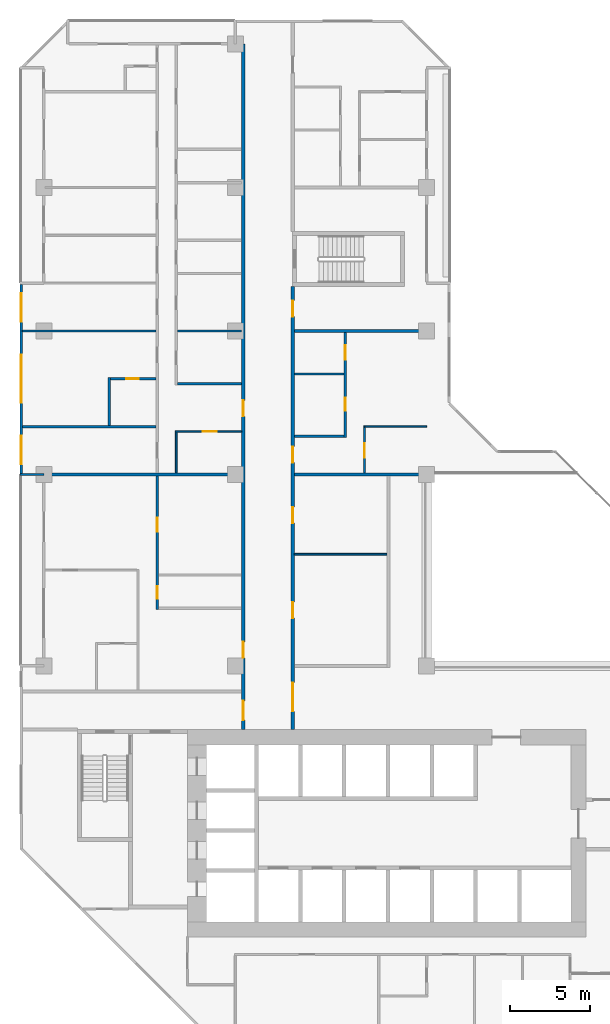
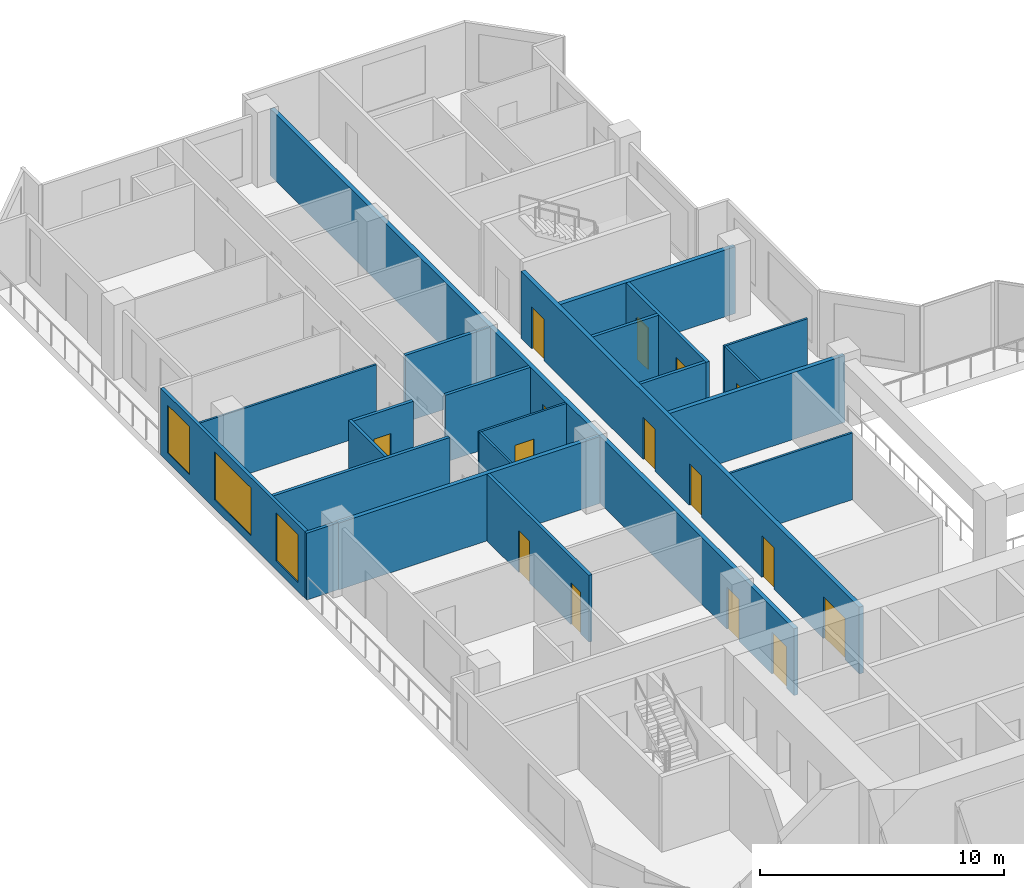
# One storey, part 9 of 15: 22 walls, 15 doors, 3 windows, 18 openings.
"""IFC4 building model written with IfcOpenShell, lengths in metres."""

import ifcopenshell
import ifcopenshell.guid

model = None  # the IFC model being written
_history = None  # IfcOwnerHistory: only IFC2X3 demands one
_inside = {}  # id of a spatial element -> (the spatial element, [elements in it])
_under = {}  # id of a project, library or spatial element -> (it, [spatial elements below it])
_declared = {}  # id of a project -> (the project, [libraries it declares])
_typed = {}  # id of a type object -> (the type object, [elements of that type])
_made_of = {}  # id of a material, layer set ... -> (it, [elements and type objects made of it])


def new_model(schema):
    """Start an empty IFC model of exactly this schema.

    Asked for "IFC4X3", IfcOpenShell would pick the latest addendum, in which some entities
    have other attributes; the version numbers below select the first issue.
    IFC2X3 requires an IfcOwnerHistory on every rooted entity: one is made here for all.
    """
    global model, _history
    if schema == "IFC4X3":
        model = ifcopenshell.file(schema_version=(4, 3, 0, 0))
    else:
        model = ifcopenshell.file(schema=schema)
    _inside.clear()
    _under.clear()
    _declared.clear()
    _typed.clear()
    _made_of.clear()
    _history = None
    if model.schema == "IFC2X3":
        org = make("IfcOrganization", Name="unknown")
        user = make(
            "IfcPersonAndOrganization",
            ThePerson=make("IfcPerson", FamilyName="unknown"),
            TheOrganization=org,
        )
        app = make(
            "IfcApplication",
            ApplicationDeveloper=org,
            Version="unknown",
            ApplicationFullName="unknown",
            ApplicationIdentifier="unknown",
        )
        _history = make(
            "IfcOwnerHistory",
            OwningUser=user,
            OwningApplication=app,
            ChangeAction="ADDED",
            CreationDate=0,
        )
    return model


def make(cls, **values):
    """One entity of the class cls with the attributes given. An attribute that is None is left unset."""
    return model.create_entity(
        cls, **{name: value for name, value in values.items() if value is not None}
    )


def rooted(cls, **values):
    """An entity with a GlobalId (a new one), such as an element, a storey or a relation."""
    return make(cls, GlobalId=ifcopenshell.guid.new(), OwnerHistory=_history, **values)


def si_unit(unit_type, name, prefix=None):
    """IfcSIUnit, for example si_unit("LENGTHUNIT", "METRE", prefix="MILLI")."""
    return make("IfcSIUnit", UnitType=unit_type, Prefix=prefix, Name=name)


def assignment(units):
    """IfcUnitAssignment: the units of a project."""
    return None if units is None else make("IfcUnitAssignment", Units=units)


def point(xyz):
    """IfcCartesianPoint."""
    return None if xyz is None else make("IfcCartesianPoint", Coordinates=xyz)


def direction(xyz):
    """IfcDirection."""
    return None if xyz is None else make("IfcDirection", DirectionRatios=xyz)


def frame(location, z_axis=None, x_axis=None):
    """IfcAxis2Placement3D, a coordinate frame: its origin and axes. An axis left out is left unset."""
    return make(
        "IfcAxis2Placement3D",
        Location=point(location),
        Axis=direction(z_axis),
        RefDirection=direction(x_axis),
    )


def frame_2d(location, x_axis=None):
    """IfcAxis2Placement2D, a coordinate frame in the plane: its origin and x axis."""
    return make(
        "IfcAxis2Placement2D", Location=point(location), RefDirection=direction(x_axis)
    )


def origin():
    """The frame at (0, 0, 0) with its axes left unset."""
    return frame((0.0, 0.0, 0.0))


def place(relative_to, where):
    """IfcLocalPlacement: puts the frame where relative to a parent placement (None: the world)."""
    return make(
        "IfcLocalPlacement", PlacementRelTo=relative_to, RelativePlacement=where
    )


def context(
    kind, dimensions, precision=None, world=None, true_north=None, identifier=None
):
    """IfcGeometricRepresentationContext, for example the 3D "Model" context."""
    return make(
        "IfcGeometricRepresentationContext",
        ContextIdentifier=identifier,
        ContextType=kind,
        CoordinateSpaceDimension=dimensions,
        Precision=precision,
        WorldCoordinateSystem=world,
        TrueNorth=true_north,
    )


def subcontext(parent, identifier, kind, view, scale=None):
    """IfcGeometricRepresentationSubContext, for example "Body" below "Model"."""
    return make(
        "IfcGeometricRepresentationSubContext",
        ContextIdentifier=identifier,
        ContextType=kind,
        ParentContext=parent,
        TargetScale=scale,
        TargetView=view,
    )


def project(units=None, contexts=None):
    """IfcProject with its units and contexts."""
    return rooted(
        "IfcProject",
        Name="project",
        RepresentationContexts=contexts,
        UnitsInContext=assignment(units),
    )


def spatial(cls, under=None, at=None, **own):
    """A site, building, storey or space (cls), placed at a placement, below another one or the project."""
    s = rooted(cls, ObjectPlacement=at, **own)
    if under is not None:
        _under.setdefault(under.id(), (under, []))[1].append(s)
    return s


def profile(cls, at=None, kind="AREA", **sizes):
    """A parametric profile (cls). Its sizes go by their IFC names, for example OverallWidth=200.0."""
    return make(cls, ProfileType=kind, Position=at, **sizes)


def rectangle(**sizes):
    """IfcRectangleProfileDef."""
    return profile("IfcRectangleProfileDef", **sizes)


def extrude(swept, where, along, depth):
    """IfcExtrudedAreaSolid: the profile swept, set in the frame where, extruded along a direction by depth."""
    return make(
        "IfcExtrudedAreaSolid",
        SweptArea=swept,
        Position=where,
        ExtrudedDirection=direction(along),
        Depth=depth,
    )


def shape(context_of_items, identifier, shape_type, items):
    """IfcShapeRepresentation: the items that make up one representation, for example the "Body"."""
    return make(
        "IfcShapeRepresentation",
        ContextOfItems=context_of_items,
        RepresentationIdentifier=identifier,
        RepresentationType=shape_type,
        Items=items,
    )


def material(Name=None, Category=None):
    """IfcMaterial."""
    return make("IfcMaterial", Name=Name, Category=Category)


def layer(
    of_material, thickness, ventilated=None, Name=None, Category=None, Priority=None
):
    """IfcMaterialLayer: one layer of a wall or slab, of a material (None: an air gap)."""
    return make(
        "IfcMaterialLayer",
        Material=of_material,
        LayerThickness=thickness,
        IsVentilated=ventilated,
        Name=Name,
        Category=Category,
        Priority=Priority,
    )


def layer_set(layers, Name=None):
    """IfcMaterialLayerSet."""
    return make("IfcMaterialLayerSet", MaterialLayers=layers, LayerSetName=Name)


def made_of(thing, what):
    """Note that an element or type object is made of a material, layer set ...; save() writes the relation."""
    if what is not None:
        _made_of.setdefault(what.id(), (what, []))[1].append(thing)
    return thing


def type_object(cls, material=None, **own):
    """A type object (cls), such as IfcWallType, which elements share."""
    return made_of(rooted(cls, **own), material)


def element(
    cls,
    number,
    at=None,
    inside=None,
    cuts=None,
    type_object=None,
    material=None,
    context=None,
    identifier="Body",
    shape_type=None,
    held_by="IfcProductDefinitionShape",
    body=None,
    shapes=None,
    **own,
):
    """One element of the class cls, such as IfcWall. Its Tag is "e" and its number.

    at: its placement. inside: the storey or other place that contains it. cuts: it is an
    opening in that element (IfcRelVoidsElement). A single representation is given by context,
    identifier, shape_type and body (its items); several are given by shapes. held_by: the class
    of the entity that holds the representations. save() writes the other relations.
    """
    e = rooted(cls, Tag="e%d" % number, ObjectPlacement=at, **own)
    if body is not None:
        shapes = [shape(context, identifier, shape_type, body)]
    if shapes is not None:
        e.Representation = make(held_by, Representations=shapes)
    if inside is not None:
        _inside.setdefault(inside.id(), (inside, []))[1].append(e)
    if cuts is not None:
        rooted(
            "IfcRelVoidsElement", RelatingBuildingElement=cuts, RelatedOpeningElement=e
        )
    if type_object is not None:
        _typed.setdefault(type_object.id(), (type_object, []))[1].append(e)
    return made_of(e, material)


def fill(opening, filler):
    """IfcRelFillsElement: the door or window that sits in an opening."""
    return rooted(
        "IfcRelFillsElement",
        RelatingOpeningElement=opening,
        RelatedBuildingElement=filler,
    )


def aggregate(whole, parts):
    """IfcRelAggregates: a whole, such as a stair, and the parts it consists of."""
    return rooted("IfcRelAggregates", RelatingObject=whole, RelatedObjects=parts)


def save(model, path):
    """Write the relations noted so far, then the file.

    IfcRelAggregates (storeys below a building ...), IfcRelContainedInSpatialStructure (elements
    in a storey), IfcRelDefinesByType, IfcRelAssociatesMaterial and IfcRelDeclares: one each for
    every whole, place, type object, material and project.
    """
    for whole, parts in _under.values():
        aggregate(whole, parts)
    for where, things in _inside.values():
        rooted(
            "IfcRelContainedInSpatialStructure",
            RelatedElements=things,
            RelatingStructure=where,
        )
    for kind, things in _typed.values():
        rooted("IfcRelDefinesByType", RelatedObjects=things, RelatingType=kind)
    for what, things in _made_of.values():
        rooted("IfcRelAssociatesMaterial", RelatedObjects=things, RelatingMaterial=what)
    for by, libraries in _declared.values():
        rooted("IfcRelDeclares", RelatingContext=by, RelatedDefinitions=libraries)
    model.write(path)


model = new_model("IFC4")

# Units and contexts
model_context = context("Model", 3, precision=1e-05, world=origin(), true_north=direction((0.0, 1.0)))
body_context = subcontext(model_context, "Body", "Model", "MODEL_VIEW")
ifc_project = project(units=[si_unit("LENGTHUNIT", "METRE"), si_unit("AREAUNIT", "SQUARE_METRE"), si_unit("VOLUMEUNIT", "CUBIC_METRE"), si_unit("PLANEANGLEUNIT", "RADIAN"), si_unit("MASSUNIT", "GRAM", prefix="KILO")], contexts=[model_context])

# Site, building, storey
site_placement = place(None, origin())
site = spatial("IfcSite", under=ifc_project, at=site_placement, CompositionType="ELEMENT")
building_placement = place(site_placement, origin())
building = spatial("IfcBuilding", under=site, at=building_placement, Name="Chenar Terraces", CompositionType="ELEMENT")
storey_placement = place(building_placement, frame((0.0, 0.0, 125.64990234375)))
storey = spatial("IfcBuildingStorey", under=building, at=storey_placement, Name="L29", CompositionType="ELEMENT", Elevation=125.64990234375)

# Wall, openings, doors
ifc_material_1 = material(Name="Gypsum board on steel studs with fire boards", Category="steel")
ifc_layer_1 = layer(ifc_material_1, 0.199951171875)
ifc_layer_set_1 = layer_set([ifc_layer_1], Name="Gypsum board on steel studs with fire boards")
wall_type_1 = type_object("IfcWallType", Name="Corridor wall 200", PredefinedType="PARTITIONING", material=ifc_layer_set_1)
wall_1_placement = place(storey_placement, frame((12.5, 20.0, 0.0), z_axis=(0.0, 0.0, 1.0), x_axis=(0.0, 1.0, 0.0)))
wall_1 = element("IfcWall", 1, at=wall_1_placement, inside=storey, type_object=wall_type_1, Name="Partition L29-036", PredefinedType="PARTITIONING", context=body_context, shape_type="SweptSolid", body=[
    extrude(rectangle(XDim=43.0, YDim=0.199951171875, at=frame_2d((21.5, 0.0))), origin(), (0.0, 0.0, 1.0), 3.35009765625),
])
opening_1_placement = place(wall_1_placement, frame((19.64990234375, 0.0, 0.0)))
opening_1 = element("IfcOpeningElement", 2, at=opening_1_placement, cuts=wall_1, Name="Opening DL29-37", PredefinedType="OPENING", context=body_context, shape_type="SweptSolid", body=[
    extrude(rectangle(XDim=1.0, YDim=2.10009765625, at=frame_2d((0.5, 1.050048828125))), frame((0.0, 0.10986328125, 0.0), z_axis=(0.0, -1.0, 0.0), x_axis=(1.0, 0.0, 0.0)), (0.0, 0.0, 1.0), 0.219970703125),
])
opening_2_placement = place(wall_1_placement, frame((0.60009765625, 0.0, 0.0)))
opening_2 = element("IfcOpeningElement", 3, at=opening_2_placement, cuts=wall_1, Name="Opening DL29-51", PredefinedType="OPENING", context=body_context, shape_type="SweptSolid", body=[
    extrude(rectangle(XDim=1.199951171875, YDim=2.10009765625, at=frame_2d((0.60009765625, 1.050048828125))), frame((0.0, 0.10986328125, 0.0), z_axis=(0.0, -1.0, 0.0), x_axis=(1.0, 0.0, 0.0)), (0.0, 0.0, 1.0), 0.219970703125),
])
opening_3_placement = place(wall_1_placement, frame((4.5, 0.0, 0.0)))
opening_3 = element("IfcOpeningElement", 4, at=opening_3_placement, cuts=wall_1, Name="Opening DL29-74", PredefinedType="OPENING", context=body_context, shape_type="SweptSolid", body=[
    extrude(rectangle(XDim=1.0, YDim=2.10009765625, at=frame_2d((0.5, 1.050048828125))), frame((0.0, 0.10986328125, 0.0), z_axis=(0.0, -1.0, 0.0), x_axis=(1.0, 0.0, 0.0)), (0.0, 0.0, 1.0), 0.219970703125),
])
ifc_material_2 = material(Name="Steel-framed fire-resisting door leaf", Category="steel")
door_type_1 = type_object("IfcDoorType", Name="Fire door FD30S 1000 x 2100", OperationType="SINGLE_SWING_LEFT", PredefinedType="DOOR", material=ifc_material_2)
door_1_placement = place(opening_1_placement, origin())
door_1 = element("IfcDoor", 5, at=door_1_placement, inside=storey, type_object=door_type_1, Name="Door DL29-37", OperationType="SINGLE_SWING_LEFT", OverallHeight=2.10009765625, OverallWidth=1.0, PredefinedType="DOOR", context=body_context, shape_type="SweptSolid", body=[
    extrude(rectangle(XDim=1.0, YDim=2.10009765625, at=frame_2d((0.5, 1.050048828125))), frame((0.0, 0.02490234375, 0.0), z_axis=(0.0, -1.0, 0.0), x_axis=(1.0, 0.0, 0.0)), (0.0, 0.0, 1.0), 0.050048828125),
])
fill(opening_1, door_1)
door_2_placement = place(opening_3_placement, origin())
door_2 = element("IfcDoor", 6, at=door_2_placement, inside=storey, type_object=door_type_1, Name="Door DL29-74", OperationType="SINGLE_SWING_LEFT", OverallHeight=2.10009765625, OverallWidth=1.0, PredefinedType="DOOR", context=body_context, shape_type="SweptSolid", body=[
    extrude(rectangle(XDim=1.0, YDim=2.10009765625, at=frame_2d((0.5, 1.050048828125))), frame((0.0, 0.02490234375, 0.0), z_axis=(0.0, -1.0, 0.0), x_axis=(1.0, 0.0, 0.0)), (0.0, 0.0, 1.0), 0.050048828125),
])
fill(opening_3, door_2)
ifc_material_3 = material(Name="Steel-framed fire-resisting door leaf", Category="steel")
door_type_2 = type_object("IfcDoorType", Name="Fire door FD30S 1200 x 2100", OperationType="SINGLE_SWING_LEFT", PredefinedType="DOOR", material=ifc_material_3)
door_3_placement = place(opening_2_placement, origin())
door_3 = element("IfcDoor", 7, at=door_3_placement, inside=storey, type_object=door_type_2, Name="Door DL29-51", OperationType="SINGLE_SWING_RIGHT", OverallHeight=2.10009765625, OverallWidth=1.199951171875, PredefinedType="DOOR", context=body_context, shape_type="SweptSolid", body=[
    extrude(rectangle(XDim=1.199951171875, YDim=2.10009765625, at=frame_2d((0.60009765625, 1.050048828125))), frame((0.0, 0.02490234375, 0.0), z_axis=(0.0, -1.0, 0.0), x_axis=(1.0, 0.0, 0.0)), (0.0, 0.0, 1.0), 0.050048828125),
])
fill(opening_2, door_3)

wall_2_placement = place(storey_placement, frame((15.60009765625, 20.0, 0.0), z_axis=(0.0, 0.0, 1.0), x_axis=(0.0, 1.0, 0.0)))
wall_2 = element("IfcWall", 8, at=wall_2_placement, inside=storey, type_object=wall_type_1, Name="Partition L29-037", PredefinedType="PARTITIONING", context=body_context, shape_type="SweptSolid", body=[
    extrude(rectangle(XDim=27.77490234375, YDim=0.199951171875, at=frame_2d((13.887451171875, 0.0))), origin(), (0.0, 0.0, 1.0), 3.35009765625),
])
opening_4_placement = place(wall_2_placement, frame((7.0, 0.0, 0.0)))
opening_4 = element("IfcOpeningElement", 9, at=opening_4_placement, cuts=wall_2, Name="Opening DL29-1", PredefinedType="OPENING", context=body_context, shape_type="SweptSolid", body=[
    extrude(rectangle(XDim=1.0, YDim=2.10009765625, at=frame_2d((0.5, 1.050048828125))), frame((0.0, 0.10986328125, 0.0), z_axis=(0.0, -1.0, 0.0), x_axis=(1.0, 0.0, 0.0)), (0.0, 0.0, 1.0), 0.219970703125),
])
opening_5_placement = place(wall_2_placement, frame((12.949951171875, 0.0, 0.0)))
opening_5 = element("IfcOpeningElement", 10, at=opening_5_placement, cuts=wall_2, Name="Opening DL29-2", PredefinedType="OPENING", context=body_context, shape_type="SweptSolid", body=[
    extrude(rectangle(XDim=1.0, YDim=2.10009765625, at=frame_2d((0.5, 1.050048828125))), frame((0.0, 0.10986328125, 0.0), z_axis=(0.0, -1.0, 0.0), x_axis=(1.0, 0.0, 0.0)), (0.0, 0.0, 1.0), 0.219970703125),
])
opening_6_placement = place(wall_2_placement, frame((16.75, 0.0, 0.0)))
opening_6 = element("IfcOpeningElement", 11, at=opening_6_placement, cuts=wall_2, Name="Opening DL29-26", PredefinedType="OPENING", context=body_context, shape_type="SweptSolid", body=[
    extrude(rectangle(XDim=1.0, YDim=2.10009765625, at=frame_2d((0.5, 1.050048828125))), frame((0.0, 0.10986328125, 0.0), z_axis=(0.0, -1.0, 0.0), x_axis=(1.0, 0.0, 0.0)), (0.0, 0.0, 1.0), 0.219970703125),
])
opening_7_placement = place(wall_2_placement, frame((1.14990234375, 0.0, 0.0)))
opening_7 = element("IfcOpeningElement", 12, at=opening_7_placement, cuts=wall_2, Name="Opening DL29-50", PredefinedType="OPENING", context=body_context, shape_type="SweptSolid", body=[
    extrude(rectangle(XDim=1.800048828125, YDim=2.10009765625, at=frame_2d((0.89990234375, 1.050048828125))), frame((0.0, 0.10986328125, 0.0), z_axis=(0.0, -1.0, 0.0), x_axis=(1.0, 0.0, 0.0)), (0.0, 0.0, 1.0), 0.219970703125),
])
opening_8_placement = place(wall_2_placement, frame((25.89990234375, 0.0, 0.0)))
opening_8 = element("IfcOpeningElement", 13, at=opening_8_placement, cuts=wall_2, Name="Opening DL29-53", PredefinedType="OPENING", context=body_context, shape_type="SweptSolid", body=[
    extrude(rectangle(XDim=1.0, YDim=2.10009765625, at=frame_2d((0.5, 1.050048828125))), frame((0.0, 0.10986328125, 0.0), z_axis=(0.0, -1.0, 0.0), x_axis=(1.0, 0.0, 0.0)), (0.0, 0.0, 1.0), 0.219970703125),
])
ifc_material_4 = material(Name="Steel-framed fire-resisting door leaf", Category="steel")
door_type_3 = type_object("IfcDoorType", Name="Fire door FD60 1000 x 2100", OperationType="SINGLE_SWING_LEFT", PredefinedType="DOOR", material=ifc_material_4)
door_4_placement = place(opening_4_placement, frame((1.0, 0.0, 0.0), z_axis=(0.0, 0.0, 1.0), x_axis=(-1.0, 0.0, 0.0)))
door_4 = element("IfcDoor", 14, at=door_4_placement, inside=storey, type_object=door_type_3, Name="Door DL29-1", OperationType="SINGLE_SWING_LEFT", OverallHeight=2.10009765625, OverallWidth=1.0, PredefinedType="DOOR", context=body_context, shape_type="SweptSolid", body=[
    extrude(rectangle(XDim=1.0, YDim=2.10009765625, at=frame_2d((0.5, 1.050048828125))), frame((0.0, 0.02490234375, 0.0), z_axis=(0.0, -1.0, 0.0), x_axis=(1.0, 0.0, 0.0)), (0.0, 0.0, 1.0), 0.050048828125),
])
fill(opening_4, door_4)
door_5_placement = place(opening_5_placement, frame((1.0, 0.0, 0.0), z_axis=(0.0, 0.0, 1.0), x_axis=(-1.0, 0.0, 0.0)))
door_5 = element("IfcDoor", 15, at=door_5_placement, inside=storey, type_object=door_type_3, Name="Door DL29-2", OperationType="SINGLE_SWING_LEFT", OverallHeight=2.10009765625, OverallWidth=1.0, PredefinedType="DOOR", context=body_context, shape_type="SweptSolid", body=[
    extrude(rectangle(XDim=1.0, YDim=2.10009765625, at=frame_2d((0.5, 1.050048828125))), frame((0.0, 0.02490234375, 0.0), z_axis=(0.0, -1.0, 0.0), x_axis=(1.0, 0.0, 0.0)), (0.0, 0.0, 1.0), 0.050048828125),
])
fill(opening_5, door_5)
door_6_placement = place(opening_6_placement, frame((1.0, 0.0, 0.0), z_axis=(0.0, 0.0, 1.0), x_axis=(-1.0, 0.0, 0.0)))
door_6 = element("IfcDoor", 16, at=door_6_placement, inside=storey, type_object=door_type_3, Name="Door DL29-26", OperationType="SINGLE_SWING_LEFT", OverallHeight=2.10009765625, OverallWidth=1.0, PredefinedType="DOOR", context=body_context, shape_type="SweptSolid", body=[
    extrude(rectangle(XDim=1.0, YDim=2.10009765625, at=frame_2d((0.5, 1.050048828125))), frame((0.0, 0.02490234375, 0.0), z_axis=(0.0, -1.0, 0.0), x_axis=(1.0, 0.0, 0.0)), (0.0, 0.0, 1.0), 0.050048828125),
])
fill(opening_6, door_6)
door_7_placement = place(opening_8_placement, frame((1.0, 0.0, 0.0), z_axis=(0.0, 0.0, 1.0), x_axis=(-1.0, 0.0, 0.0)))
door_7 = element("IfcDoor", 17, at=door_7_placement, inside=storey, type_object=door_type_3, Name="Door DL29-53", OperationType="SINGLE_SWING_RIGHT", OverallHeight=2.10009765625, OverallWidth=1.0, PredefinedType="DOOR", context=body_context, shape_type="SweptSolid", body=[
    extrude(rectangle(XDim=1.0, YDim=2.10009765625, at=frame_2d((0.5, 1.050048828125))), frame((0.0, 0.02490234375, 0.0), z_axis=(0.0, -1.0, 0.0), x_axis=(1.0, 0.0, 0.0)), (0.0, 0.0, 1.0), 0.050048828125),
])
fill(opening_8, door_7)
ifc_material_5 = material(Name="Steel-framed fire-resisting door leaf", Category="steel")
door_type_4 = type_object("IfcDoorType", Name="Fire double door FD60 1800 x 2100", OperationType="DOUBLE_DOOR_SINGLE_SWING", PredefinedType="DOOR", material=ifc_material_5)
door_8_placement = place(opening_7_placement, frame((1.800048828125, 0.0, 0.0), z_axis=(0.0, 0.0, 1.0), x_axis=(-1.0, 0.0, 0.0)))
door_8 = element("IfcDoor", 18, at=door_8_placement, inside=storey, type_object=door_type_4, Name="Door DL29-50", OperationType="DOUBLE_DOOR_SINGLE_SWING", OverallHeight=2.10009765625, OverallWidth=1.800048828125, PredefinedType="DOOR", context=body_context, shape_type="SweptSolid", body=[
    extrude(rectangle(XDim=1.800048828125, YDim=2.10009765625, at=frame_2d((0.89990234375, 1.050048828125))), frame((0.0, 0.02490234375, 0.0), z_axis=(0.0, -1.0, 0.0), x_axis=(1.0, 0.0, 0.0)), (0.0, 0.0, 1.0), 0.050048828125),
])
fill(opening_7, door_8)

# Wall, openings, windows
ifc_material_6 = material(Name="Aluminium framed glazing", Category="aluminium")
ifc_layer_2 = layer(ifc_material_6, 0.14990234375)
ifc_layer_set_2 = layer_set([ifc_layer_2], Name="Aluminium framed glazing")
wall_type_2 = type_object("IfcWallType", Name="Glazed flush facade wall 150", PredefinedType="SOLIDWALL", material=ifc_layer_set_2)
wall_3_placement = place(storey_placement, frame((-1.425048828125, 47.925048828125, 0.0), z_axis=(0.0, 0.0, 1.0), x_axis=(0.0, -1.0, 0.0)))
wall_3 = element("IfcWall", 19, at=wall_3_placement, inside=storey, type_object=wall_type_2, Name="Glazed flush facade wall", PredefinedType="SOLIDWALL", context=body_context, shape_type="SweptSolid", body=[
    extrude(rectangle(XDim=11.85009765625, YDim=0.14990234375, at=frame_2d((5.925048828125, 0.0))), origin(), (0.0, 0.0, 1.0), 3.35009765625),
])
opening_9_placement = place(wall_3_placement, frame((0.5625, 0.0, 0.449951171875)))
opening_9 = element("IfcOpeningElement", 20, at=opening_9_placement, cuts=wall_3, Name="Opening W180x240", PredefinedType="OPENING", context=body_context, shape_type="SweptSolid", body=[
    extrude(rectangle(XDim=1.800048828125, YDim=2.39990234375, at=frame_2d((0.89990234375, 1.199951171875))), frame((0.0, 0.0849609375, 0.0), z_axis=(0.0, -1.0, 0.0), x_axis=(1.0, 0.0, 0.0)), (0.0, 0.0, 1.0), 0.169921875),
])
opening_10_placement = place(wall_3_placement, frame((4.425048828125, 0.0, 0.449951171875)))
opening_10 = element("IfcOpeningElement", 21, at=opening_10_placement, cuts=wall_3, Name="Opening W300x240", PredefinedType="OPENING", context=body_context, shape_type="SweptSolid", body=[
    extrude(rectangle(XDim=3.0, YDim=2.39990234375, at=frame_2d((1.5, 1.199951171875))), frame((0.0, 0.0849609375, 0.0), z_axis=(0.0, -1.0, 0.0), x_axis=(1.0, 0.0, 0.0)), (0.0, 0.0, 1.0), 0.169921875),
])
opening_11_placement = place(wall_3_placement, frame((9.487548828125, 0.0, 0.449951171875)))
opening_11 = element("IfcOpeningElement", 22, at=opening_11_placement, cuts=wall_3, Name="Opening W180x240", PredefinedType="OPENING", context=body_context, shape_type="SweptSolid", body=[
    extrude(rectangle(XDim=1.800048828125, YDim=2.39990234375, at=frame_2d((0.89990234375, 1.199951171875))), frame((0.0, 0.0849609375, 0.0), z_axis=(0.0, -1.0, 0.0), x_axis=(1.0, 0.0, 0.0)), (0.0, 0.0, 1.0), 0.169921875),
])
ifc_material_7 = material(Name="Low emissivity double glazing, aluminium frame", Category="aluminium")
window_type_1 = type_object("IfcWindowType", Name="Fixed light 1800 x 2400", PartitioningType="SINGLE_PANEL", PredefinedType="WINDOW", material=ifc_material_7)
window_1_placement = place(opening_9_placement, origin())
window_1 = element("IfcWindow", 23, at=window_1_placement, inside=storey, type_object=window_type_1, Name="Window", OverallHeight=2.39990234375, OverallWidth=1.800048828125, PartitioningType="SINGLE_PANEL", PredefinedType="WINDOW", context=body_context, shape_type="SweptSolid", body=[
    extrude(rectangle(XDim=1.800048828125, YDim=2.39990234375, at=frame_2d((0.89990234375, 1.199951171875))), frame((0.0, 0.030029296875, 0.0), z_axis=(0.0, -1.0, 0.0), x_axis=(1.0, 0.0, 0.0)), (0.0, 0.0, 1.0), 0.06005859375),
])
fill(opening_9, window_1)
window_2_placement = place(opening_11_placement, origin())
window_2 = element("IfcWindow", 24, at=window_2_placement, inside=storey, type_object=window_type_1, Name="Window", OverallHeight=2.39990234375, OverallWidth=1.800048828125, PartitioningType="SINGLE_PANEL", PredefinedType="WINDOW", context=body_context, shape_type="SweptSolid", body=[
    extrude(rectangle(XDim=1.800048828125, YDim=2.39990234375, at=frame_2d((0.89990234375, 1.199951171875))), frame((0.0, 0.030029296875, 0.0), z_axis=(0.0, -1.0, 0.0), x_axis=(1.0, 0.0, 0.0)), (0.0, 0.0, 1.0), 0.06005859375),
])
fill(opening_11, window_2)
ifc_material_8 = material(Name="Low emissivity double glazing, aluminium frame", Category="aluminium")
window_type_2 = type_object("IfcWindowType", Name="Fixed light 3000 x 2400", PartitioningType="SINGLE_PANEL", PredefinedType="WINDOW", material=ifc_material_8)
window_3_placement = place(opening_10_placement, origin())
window_3 = element("IfcWindow", 25, at=window_3_placement, inside=storey, type_object=window_type_2, Name="Window", OverallHeight=2.39990234375, OverallWidth=3.0, PartitioningType="SINGLE_PANEL", PredefinedType="WINDOW", context=body_context, shape_type="SweptSolid", body=[
    extrude(rectangle(XDim=3.0, YDim=2.39990234375, at=frame_2d((1.5, 1.199951171875))), frame((0.0, 0.030029296875, 0.0), z_axis=(0.0, -1.0, 0.0), x_axis=(1.0, 0.0, 0.0)), (0.0, 0.0, 1.0), 0.06005859375),
])
fill(opening_10, window_3)

# Wall
ifc_material_9 = material(Name="Gypsum board on steel studs", Category="steel")
ifc_layer_3 = layer(ifc_material_9, 0.10009765625)
ifc_layer_set_3 = layer_set([ifc_layer_3], Name="Gypsum board on steel studs")
wall_type_3 = type_object("IfcWallType", Name="Gypsum partition 100", PredefinedType="PARTITIONING", material=ifc_layer_set_3)
wall_4_placement = place(storey_placement, frame((-1.35107421875, 45.0, 0.0), z_axis=(0.0, 0.0, 1.0), x_axis=(1.0, 0.0, 0.0)))
element("IfcWall", 26, at=wall_4_placement, inside=storey, type_object=wall_type_3, Name="Partition L29-002", PredefinedType="PARTITIONING", context=body_context, shape_type="SweptSolid", body=[
    extrude(rectangle(XDim=8.3759765625, YDim=0.10009765625, at=frame_2d((4.18798828125, 0.0))), origin(), (0.0, 0.0, 1.0), 3.35009765625),
])

# Wall, opening, door
wall_5_placement = place(storey_placement, frame((8.25, 38.699951171875, 0.0), z_axis=(0.0, 0.0, 1.0), x_axis=(1.0, 0.0, 0.0)))
wall_5 = element("IfcWall", 27, at=wall_5_placement, inside=storey, type_object=wall_type_3, Name="Partition L29-023", PredefinedType="PARTITIONING", context=body_context, shape_type="SweptSolid", body=[
    extrude(rectangle(XDim=4.14990234375, YDim=0.10009765625, at=frame_2d((2.074951171875, 0.0))), origin(), (0.0, 0.0, 1.0), 3.35009765625),
])
opening_12_placement = place(wall_5_placement, frame((1.699951171875, 0.0, 0.0)))
opening_12 = element("IfcOpeningElement", 28, at=opening_12_placement, cuts=wall_5, Name="Opening DL29-44", PredefinedType="OPENING", context=body_context, shape_type="SweptSolid", body=[
    extrude(rectangle(XDim=0.89990234375, YDim=2.10009765625, at=frame_2d((0.449951171875, 1.050048828125))), frame((0.0, 0.06005859375, 0.0), z_axis=(0.0, -1.0, 0.0), x_axis=(1.0, 0.0, 0.0)), (0.0, 0.0, 1.0), 0.1201171875),
])
ifc_material_10 = material(Name="Veneered timber door leaf", Category="wood")
door_type_5 = type_object("IfcDoorType", Name="Door 900 x 2100", OperationType="SINGLE_SWING_LEFT", PredefinedType="DOOR", material=ifc_material_10)
door_9_placement = place(opening_12_placement, frame((0.89990234375, 0.0, 0.0), z_axis=(0.0, 0.0, 1.0), x_axis=(-1.0, 0.0, 0.0)))
door_9 = element("IfcDoor", 29, at=door_9_placement, inside=storey, type_object=door_type_5, Name="Door DL29-44", OperationType="SINGLE_SWING_RIGHT", OverallHeight=2.10009765625, OverallWidth=0.89990234375, PredefinedType="DOOR", context=body_context, shape_type="SweptSolid", body=[
    extrude(rectangle(XDim=0.89990234375, YDim=2.10009765625, at=frame_2d((0.449951171875, 1.050048828125))), frame((0.0, 0.02490234375, 0.0), z_axis=(0.0, -1.0, 0.0), x_axis=(1.0, 0.0, 0.0)), (0.0, 0.0, 1.0), 0.050048828125),
])
fill(opening_12, door_9)

# Walls
wall_6_placement = place(storey_placement, frame((8.300048828125, 36.10009765625, 0.0), z_axis=(0.0, 0.0, 1.0), x_axis=(0.0, 1.0, 0.0)))
element("IfcWall", 30, at=wall_6_placement, inside=storey, type_object=wall_type_3, Name="Partition L29-024", PredefinedType="PARTITIONING", context=body_context, shape_type="SweptSolid", body=[
    extrude(rectangle(XDim=2.5498046875, YDim=0.10009765625, at=frame_2d((1.27490234375, 0.0))), origin(), (0.0, 0.0, 1.0), 3.35009765625),
])
wall_7_placement = place(storey_placement, frame((15.699951171875, 31.0, 0.0), z_axis=(0.0, 0.0, 1.0), x_axis=(1.0, 0.0, 0.0)))
element("IfcWall", 31, at=wall_7_placement, inside=storey, type_object=wall_type_3, Name="Partition L29-040", PredefinedType="PARTITIONING", context=body_context, shape_type="SweptSolid", body=[
    extrude(rectangle(XDim=5.800048828125, YDim=0.10009765625, at=frame_2d((2.89990234375, 0.0))), origin(), (0.0, 0.0, 1.0), 3.35009765625),
])
wall_8_placement = place(storey_placement, frame((20.050048828125, 39.0, 0.0), z_axis=(0.0, 0.0, 1.0), x_axis=(1.0, 0.0, 0.0)))
element("IfcWall", 32, at=wall_8_placement, inside=storey, type_object=wall_type_3, Name="Partition L29-053", PredefinedType="PARTITIONING", context=body_context, shape_type="SweptSolid", body=[
    extrude(rectangle(XDim=3.949951171875, YDim=0.10009765625, at=frame_2d((1.97509765625, 0.0))), origin(), (0.0, 0.0, 1.0), 3.35009765625),
])

# Wall, opening, door
wall_9_placement = place(storey_placement, frame((20.10009765625, 36.10009765625, 0.0), z_axis=(0.0, 0.0, 1.0), x_axis=(0.0, 1.0, 0.0)))
wall_9 = element("IfcWall", 33, at=wall_9_placement, inside=storey, type_object=wall_type_3, Name="Partition L29-054", PredefinedType="PARTITIONING", context=body_context, shape_type="SweptSolid", body=[
    extrude(rectangle(XDim=2.849853515625, YDim=0.10009765625, at=frame_2d((1.4248046875, 0.0))), origin(), (0.0, 0.0, 1.0), 3.35009765625),
])
opening_13_placement = place(wall_9_placement, frame((0.949951171875, 0.0, 0.0)))
opening_13 = element("IfcOpeningElement", 34, at=opening_13_placement, cuts=wall_9, Name="Opening DL29-24", PredefinedType="OPENING", context=body_context, shape_type="SweptSolid", body=[
    extrude(rectangle(XDim=0.89990234375, YDim=2.10009765625, at=frame_2d((0.449951171875, 1.050048828125))), frame((0.0, 0.06005859375, 0.0), z_axis=(0.0, -1.0, 0.0), x_axis=(1.0, 0.0, 0.0)), (0.0, 0.0, 1.0), 0.1201171875),
])
door_10_placement = place(opening_13_placement, frame((0.89990234375, 0.0, 0.0), z_axis=(0.0, 0.0, 1.0), x_axis=(-1.0, 0.0, 0.0)))
door_10 = element("IfcDoor", 35, at=door_10_placement, inside=storey, type_object=door_type_5, Name="Door DL29-24", OperationType="SINGLE_SWING_LEFT", OverallHeight=2.10009765625, OverallWidth=0.89990234375, PredefinedType="DOOR", context=body_context, shape_type="SweptSolid", body=[
    extrude(rectangle(XDim=0.89990234375, YDim=2.10009765625, at=frame_2d((0.449951171875, 1.050048828125))), frame((0.0, 0.02490234375, 0.0), z_axis=(0.0, -1.0, 0.0), x_axis=(1.0, 0.0, 0.0)), (0.0, 0.0, 1.0), 0.050048828125),
])
fill(opening_13, door_10)

# Walls
ifc_material_11 = material(Name="Terracotta cladding on insulated backing", Category="masonry")
ifc_layer_4 = layer(ifc_material_11, 0.14990234375)
ifc_layer_set_4 = layer_set([ifc_layer_4], Name="Terracotta cladding on insulated backing")
wall_type_4 = type_object("IfcWallType", Name="Loggia return wall 150", PredefinedType="SOLIDWALL", material=ifc_layer_set_4)
wall_10_placement = place(storey_placement, frame((-1.5, 36.0, 0.0), z_axis=(0.0, 0.0, 1.0), x_axis=(1.0, 0.0, 0.0)))
element("IfcWall", 36, at=wall_10_placement, inside=storey, type_object=wall_type_4, Name="Loggia return wall", PredefinedType="SOLIDWALL", context=body_context, shape_type="SweptSolid", body=[
    extrude(rectangle(XDim=1.5, YDim=0.14990234375, at=frame_2d((0.75, 0.0))), origin(), (0.0, 0.0, 1.0), 3.35009765625),
])
ifc_material_12 = material(Name="Twin gypsum board on steel studs with mineral wool", Category="steel")
ifc_layer_5 = layer(ifc_material_12, 0.199951171875)
ifc_layer_set_5 = layer_set([ifc_layer_5], Name="Twin gypsum board on steel studs with mineral wool")
wall_type_5 = type_object("IfcWallType", Name="Unit demising wall 200", PredefinedType="PARTITIONING", material=ifc_layer_set_5)
wall_11_placement = place(storey_placement, frame((0.0, 36.0, 0.0), z_axis=(0.0, 0.0, 1.0), x_axis=(1.0, 0.0, 0.0)))
element("IfcWall", 37, at=wall_11_placement, inside=storey, type_object=wall_type_5, Name="Partition L29-005", PredefinedType="PARTITIONING", context=body_context, shape_type="SweptSolid", body=[
    extrude(rectangle(XDim=12.39990234375, YDim=0.199951171875, at=frame_2d((6.199951171875, 0.0))), origin(), (0.0, 0.0, 1.0), 3.35009765625),
])
for number, where, z_axis, x_axis, name in (
    (38, (15.699951171875, 36.0, 0.0), (0.0, 0.0, 1.0), (1.0, 0.0, 0.0), "Partition L29-041"),
    (39, (15.699951171875, 45.0, 0.0), (0.0, 0.0, 1.0), (1.0, 0.0, 0.0), "Partition L29-044"),
):
    element("IfcWall", number, at=place(storey_placement, frame(where, z_axis=z_axis, x_axis=x_axis)), inside=storey, type_object=wall_type_5, Name=name, PredefinedType="PARTITIONING", context=body_context, shape_type="SweptSolid", body=[
        extrude(rectangle(XDim=8.300048828125, YDim=0.199951171875, at=frame_2d((4.14990234375, 0.0))), origin(), (0.0, 0.0, 1.0), 3.35009765625),
    ])
ifc_material_13 = material(Name="Moisture-resistant gypsum board on steel studs", Category="steel")
ifc_layer_6 = layer(ifc_material_13, 0.14990234375)
ifc_layer_set_6 = layer_set([ifc_layer_6], Name="Moisture-resistant gypsum board on steel studs")
wall_type_6 = type_object("IfcWallType", Name="Wet-room partition 150", PredefinedType="PARTITIONING", material=ifc_layer_set_6)
wall_12_placement = place(storey_placement, frame((-1.35107421875, 39.0, 0.0), z_axis=(0.0, 0.0, 1.0), x_axis=(1.0, 0.0, 0.0)))
element("IfcWall", 40, at=wall_12_placement, inside=storey, type_object=wall_type_6, Name="Partition L29-001", PredefinedType="PARTITIONING", context=body_context, shape_type="SweptSolid", body=[
    extrude(rectangle(XDim=8.3759765625, YDim=0.14990234375, at=frame_2d((4.18798828125, 0.0))), origin(), (0.0, 0.0, 1.0), 3.35009765625),
])
wall_13_placement = place(storey_placement, frame((4.10009765625, 39.074951171875, 0.0), z_axis=(0.0, 0.0, 1.0), x_axis=(0.0, 1.0, 0.0)))
element("IfcWall", 41, at=wall_13_placement, inside=storey, type_object=wall_type_6, Name="Partition L29-014", PredefinedType="PARTITIONING", context=body_context, shape_type="SweptSolid", body=[
    extrude(rectangle(XDim=3.0, YDim=0.14990234375, at=frame_2d((1.5, 0.0))), origin(), (0.0, 0.0, 1.0), 3.35009765625),
])

# Wall, opening, door
wall_14_placement = place(storey_placement, frame((4.175048828125, 42.0, 0.0), z_axis=(0.0, 0.0, 1.0), x_axis=(1.0, 0.0, 0.0)))
wall_14 = element("IfcWall", 42, at=wall_14_placement, inside=storey, type_object=wall_type_6, Name="Partition L29-015", PredefinedType="PARTITIONING", context=body_context, shape_type="SweptSolid", body=[
    extrude(rectangle(XDim=2.849853515625, YDim=0.14990234375, at=frame_2d((1.4248046875, 0.0))), origin(), (0.0, 0.0, 1.0), 3.35009765625),
])
opening_14_placement = place(wall_14_placement, frame((0.97509765625, 0.0, 0.0)))
opening_14 = element("IfcOpeningElement", 43, at=opening_14_placement, cuts=wall_14, Name="Opening DL29-36", PredefinedType="OPENING", context=body_context, shape_type="SweptSolid", body=[
    extrude(rectangle(XDim=0.800048828125, YDim=2.10009765625, at=frame_2d((0.39990234375, 1.050048828125))), frame((0.0, 0.0849609375, 0.0), z_axis=(0.0, -1.0, 0.0), x_axis=(1.0, 0.0, 0.0)), (0.0, 0.0, 1.0), 0.169921875),
])
ifc_material_14 = material(Name="Veneered timber door leaf", Category="wood")
door_type_6 = type_object("IfcDoorType", Name="Door 800 x 2100", OperationType="SINGLE_SWING_LEFT", PredefinedType="DOOR", material=ifc_material_14)
door_11_placement = place(opening_14_placement, frame((0.800048828125, 0.0, 0.0), z_axis=(0.0, 0.0, 1.0), x_axis=(-1.0, 0.0, 0.0)))
door_11 = element("IfcDoor", 44, at=door_11_placement, inside=storey, type_object=door_type_6, Name="Door DL29-36", OperationType="SINGLE_SWING_RIGHT", OverallHeight=2.10009765625, OverallWidth=0.800048828125, PredefinedType="DOOR", context=body_context, shape_type="SweptSolid", body=[
    extrude(rectangle(XDim=0.800048828125, YDim=2.10009765625, at=frame_2d((0.39990234375, 1.050048828125))), frame((0.0, 0.02490234375, 0.0), z_axis=(0.0, -1.0, 0.0), x_axis=(1.0, 0.0, 0.0)), (0.0, 0.0, 1.0), 0.050048828125),
])
fill(opening_14, door_11)

# Wall, openings, doors
wall_15_placement = place(storey_placement, frame((7.10009765625, 27.52490234375, 0.0), z_axis=(0.0, 0.0, 1.0), x_axis=(0.0, 1.0, 0.0)))
wall_15 = element("IfcWall", 45, at=wall_15_placement, inside=storey, type_object=wall_type_6, Name="Partition L29-019", PredefinedType="PARTITIONING", context=body_context, shape_type="SweptSolid", body=[
    extrude(rectangle(XDim=8.375, YDim=0.14990234375, at=frame_2d((4.1875, 0.0))), origin(), (0.0, 0.0, 1.0), 3.35009765625),
])
opening_15_placement = place(wall_15_placement, frame((0.675048828125, 0.0, 0.0)))
opening_15 = element("IfcOpeningElement", 46, at=opening_15_placement, cuts=wall_15, Name="Opening DL29-70", PredefinedType="OPENING", context=body_context, shape_type="SweptSolid", body=[
    extrude(rectangle(XDim=0.800048828125, YDim=2.10009765625, at=frame_2d((0.39990234375, 1.050048828125))), frame((0.0, 0.0849609375, 0.0), z_axis=(0.0, -1.0, 0.0), x_axis=(1.0, 0.0, 0.0)), (0.0, 0.0, 1.0), 0.169921875),
])
opening_16_placement = place(wall_15_placement, frame((4.875, 0.0, 0.0)))
opening_16 = element("IfcOpeningElement", 47, at=opening_16_placement, cuts=wall_15, Name="Opening DL29-73", PredefinedType="OPENING", context=body_context, shape_type="SweptSolid", body=[
    extrude(rectangle(XDim=0.89990234375, YDim=2.10009765625, at=frame_2d((0.449951171875, 1.050048828125))), frame((0.0, 0.0849609375, 0.0), z_axis=(0.0, -1.0, 0.0), x_axis=(1.0, 0.0, 0.0)), (0.0, 0.0, 1.0), 0.169921875),
])
door_12_placement = place(opening_15_placement, frame((0.800048828125, 0.0, 0.0), z_axis=(0.0, 0.0, 1.0), x_axis=(-1.0, 0.0, 0.0)))
door_12 = element("IfcDoor", 48, at=door_12_placement, inside=storey, type_object=door_type_6, Name="Door DL29-70", OperationType="SINGLE_SWING_RIGHT", OverallHeight=2.10009765625, OverallWidth=0.800048828125, PredefinedType="DOOR", context=body_context, shape_type="SweptSolid", body=[
    extrude(rectangle(XDim=0.800048828125, YDim=2.10009765625, at=frame_2d((0.39990234375, 1.050048828125))), frame((0.0, 0.02490234375, 0.0), z_axis=(0.0, -1.0, 0.0), x_axis=(1.0, 0.0, 0.0)), (0.0, 0.0, 1.0), 0.050048828125),
])
fill(opening_15, door_12)
door_13_placement = place(opening_16_placement, frame((0.89990234375, 0.0, 0.0), z_axis=(0.0, 0.0, 1.0), x_axis=(-1.0, 0.0, 0.0)))
door_13 = element("IfcDoor", 49, at=door_13_placement, inside=storey, type_object=door_type_5, Name="Door DL29-73", OperationType="SINGLE_SWING_RIGHT", OverallHeight=2.10009765625, OverallWidth=0.89990234375, PredefinedType="DOOR", context=body_context, shape_type="SweptSolid", body=[
    extrude(rectangle(XDim=0.89990234375, YDim=2.10009765625, at=frame_2d((0.449951171875, 1.050048828125))), frame((0.0, 0.02490234375, 0.0), z_axis=(0.0, -1.0, 0.0), x_axis=(1.0, 0.0, 0.0)), (0.0, 0.0, 1.0), 0.050048828125),
])
fill(opening_16, door_13)

# Walls
for number, where, z_axis, x_axis, name in (
    (50, (8.375, 41.699951171875, 0.0), (0.0, 0.0, 1.0), (1.0, 0.0, 0.0), "Partition L29-026"),
    (51, (8.375, 45.0, 0.0), (0.0, 0.0, 1.0), (1.0, 0.0, 0.0), "Partition L29-027"),
):
    element("IfcWall", number, at=place(storey_placement, frame(where, z_axis=z_axis, x_axis=x_axis)), inside=storey, type_object=wall_type_6, Name=name, PredefinedType="PARTITIONING", context=body_context, shape_type="SweptSolid", body=[
        extrude(rectangle(XDim=4.02490234375, YDim=0.14990234375, at=frame_2d((2.012451171875, 0.0))), origin(), (0.0, 0.0, 1.0), 3.35009765625),
    ])
for number, where, z_axis, x_axis, name in (
    (52, (15.699951171875, 38.39990234375, 0.0), (0.0, 0.0, 1.0), (1.0, 0.0, 0.0), "Partition L29-042"),
    (53, (15.699951171875, 42.300048828125, 0.0), (0.0, 0.0, 1.0), (1.0, 0.0, 0.0), "Partition L29-043"),
):
    element("IfcWall", number, at=place(storey_placement, frame(where, z_axis=z_axis, x_axis=x_axis)), inside=storey, type_object=wall_type_6, Name=name, PredefinedType="PARTITIONING", context=body_context, shape_type="SweptSolid", body=[
        extrude(rectangle(XDim=3.125, YDim=0.14990234375, at=frame_2d((1.5625, 0.0))), origin(), (0.0, 0.0, 1.0), 3.35009765625),
    ])

# Wall, openings, doors
wall_16_placement = place(storey_placement, frame((18.89990234375, 38.324951171875, 0.0), z_axis=(0.0, 0.0, 1.0), x_axis=(0.0, 1.0, 0.0)))
wall_16 = element("IfcWall", 54, at=wall_16_placement, inside=storey, type_object=wall_type_6, Name="Partition L29-049", PredefinedType="PARTITIONING", context=body_context, shape_type="SweptSolid", body=[
    extrude(rectangle(XDim=6.574951171875, YDim=0.14990234375, at=frame_2d((3.28759765625, 0.0))), origin(), (0.0, 0.0, 1.0), 3.35009765625),
])
opening_17_placement = place(wall_16_placement, frame((1.675048828125, 0.0, 0.0)))
opening_17 = element("IfcOpeningElement", 55, at=opening_17_placement, cuts=wall_16, Name="Opening DL29-23", PredefinedType="OPENING", context=body_context, shape_type="SweptSolid", body=[
    extrude(rectangle(XDim=0.800048828125, YDim=2.10009765625, at=frame_2d((0.39990234375, 1.050048828125))), frame((0.0, 0.0849609375, 0.0), z_axis=(0.0, -1.0, 0.0), x_axis=(1.0, 0.0, 0.0)), (0.0, 0.0, 1.0), 0.169921875),
])
opening_18_placement = place(wall_16_placement, frame((4.875, 0.0, 0.0)))
opening_18 = element("IfcOpeningElement", 56, at=opening_18_placement, cuts=wall_16, Name="Opening DL29-25", PredefinedType="OPENING", context=body_context, shape_type="SweptSolid", body=[
    extrude(rectangle(XDim=0.89990234375, YDim=2.10009765625, at=frame_2d((0.449951171875, 1.050048828125))), frame((0.0, 0.0849609375, 0.0), z_axis=(0.0, -1.0, 0.0), x_axis=(1.0, 0.0, 0.0)), (0.0, 0.0, 1.0), 0.169921875),
])
door_14_placement = place(opening_17_placement, origin())
door_14 = element("IfcDoor", 57, at=door_14_placement, inside=storey, type_object=door_type_6, Name="Door DL29-23", OperationType="SINGLE_SWING_RIGHT", OverallHeight=2.10009765625, OverallWidth=0.800048828125, PredefinedType="DOOR", context=body_context, shape_type="SweptSolid", body=[
    extrude(rectangle(XDim=0.800048828125, YDim=2.10009765625, at=frame_2d((0.39990234375, 1.050048828125))), frame((0.0, 0.02490234375, 0.0), z_axis=(0.0, -1.0, 0.0), x_axis=(1.0, 0.0, 0.0)), (0.0, 0.0, 1.0), 0.050048828125),
])
fill(opening_17, door_14)
door_15_placement = place(opening_18_placement, origin())
door_15 = element("IfcDoor", 58, at=door_15_placement, inside=storey, type_object=door_type_5, Name="Door DL29-25", OperationType="SINGLE_SWING_LEFT", OverallHeight=2.10009765625, OverallWidth=0.89990234375, PredefinedType="DOOR", context=body_context, shape_type="SweptSolid", body=[
    extrude(rectangle(XDim=0.89990234375, YDim=2.10009765625, at=frame_2d((0.449951171875, 1.050048828125))), frame((0.0, 0.02490234375, 0.0), z_axis=(0.0, -1.0, 0.0), x_axis=(1.0, 0.0, 0.0)), (0.0, 0.0, 1.0), 0.050048828125),
])
fill(opening_18, door_15)

save(model, "model.ifc")
